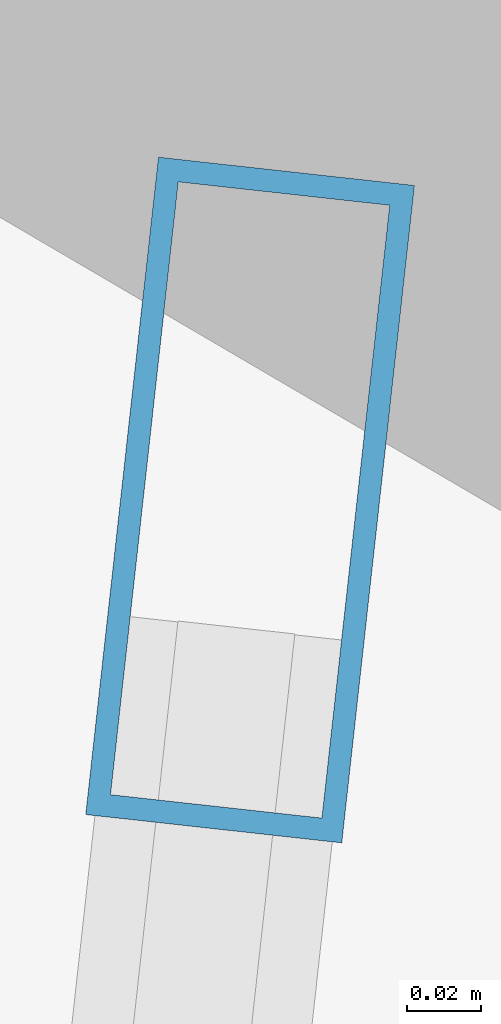
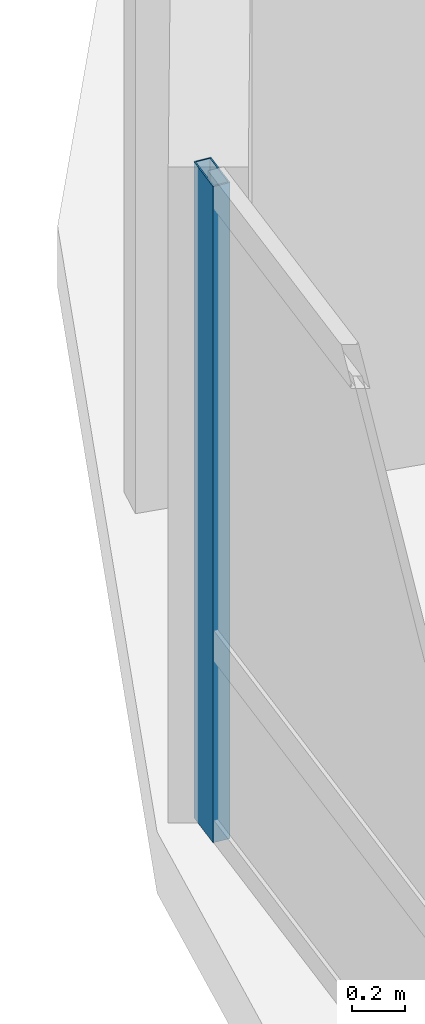
# One storey, part 6 of 17: 1 member, 1 element without a shape of its own.
"""IFC4 building model written with IfcOpenShell, lengths in metres."""

from ifc_helpers import new_model, si_unit, direction, frame, origin, origin_2d, place, context, subcontext, project, spatial, hollow_rectangle, extrude, material, layer, layer_set, material_profile, profile_set, type_object, element, aggregate, save


model = new_model("IFC4")

# Units and contexts
model_context = context("Model", 3, precision=1e-05, world=origin(), true_north=direction((0.0, 1.0)))
body_context = subcontext(model_context, "Body", "Model", "MODEL_VIEW")
ifc_project = project(units=[si_unit("LENGTHUNIT", "METRE"), si_unit("AREAUNIT", "SQUARE_METRE"), si_unit("VOLUMEUNIT", "CUBIC_METRE"), si_unit("PLANEANGLEUNIT", "RADIAN"), si_unit("MASSUNIT", "GRAM", prefix="KILO"), si_unit("THERMODYNAMICTEMPERATUREUNIT", "KELVIN"), si_unit("POWERUNIT", "WATT")], contexts=[model_context])

# Site, building, storey
site_placement = place(None, origin())
site = spatial("IfcSite", under=ifc_project, at=site_placement, CompositionType="ELEMENT")
building_placement = place(site_placement, origin())
building = spatial("IfcBuilding", under=site, at=building_placement, Name="Ocrelia Relay Tower", CompositionType="ELEMENT")
storey_placement = place(building_placement, frame((0.0, 0.0, 59.39990234375)))
storey = spatial("IfcBuildingStorey", under=building, at=storey_placement, Name="L13", CompositionType="ELEMENT", Elevation=59.39990234375)

# Curtain wall, member
ifc_material_1 = material(Name="Aluminium and solar-control low-E glass", Category="aluminium")
ifc_layer = layer(ifc_material_1, 0.179931640625, Name="Aluminium and solar-control low-E glass")
ifc_layer_set = layer_set([ifc_layer], Name="Aluminium and solar-control low-E glass")
curtain_wall_type = type_object("IfcCurtainWallType", Name="CW-SYS-Z1-DATA", PredefinedType="NOTDEFINED", material=ifc_layer_set)
curtain_wall_placement = place(storey_placement, origin())
curtain_wall = element("IfcCurtainWall", 1, at=curtain_wall_placement, inside=storey, type_object=curtain_wall_type, Name="L13 Elliptical Tower Curtain Wall Bay 09", PredefinedType="NOTDEFINED")
ifc_material_2 = material(Name="Anodised bronze aluminium", Category="aluminium")
ifc_material_profile = material_profile(ifc_material_2, hollow_rectangle(XDim=0.070068359375, YDim=0.179931640625, WallThickness=0.006103515625, at=origin_2d()), Name="CW-MUL-180x70")
ifc_profile_set = profile_set([ifc_material_profile], Name="Anodised bronze aluminium")
member_type = type_object("IfcMemberType", Name="CW-SYS-Z1-DATA-MUL", PredefinedType="MULLION", material=ifc_profile_set)
member_placement = place(storey_placement, frame((7.204833984375, 30.176025390625, 0.0), z_axis=(0.0, 0.0, 1.0), x_axis=(0.993940536557, -0.109919105663, 0.0)))
member = element("IfcMember", 2, at=member_placement, type_object=member_type, Name="CW-Z1 mullion 1", PredefinedType="MULLION", context=body_context, shape_type="SweptSolid", body=[
    extrude(hollow_rectangle(XDim=0.070068359375, YDim=0.179931640625, WallThickness=0.006103515625, at=origin_2d()), origin(), (0.0, 0.0, 1.0), 3.0),
])
aggregate(curtain_wall, [member])

save(model, "model.ifc")
